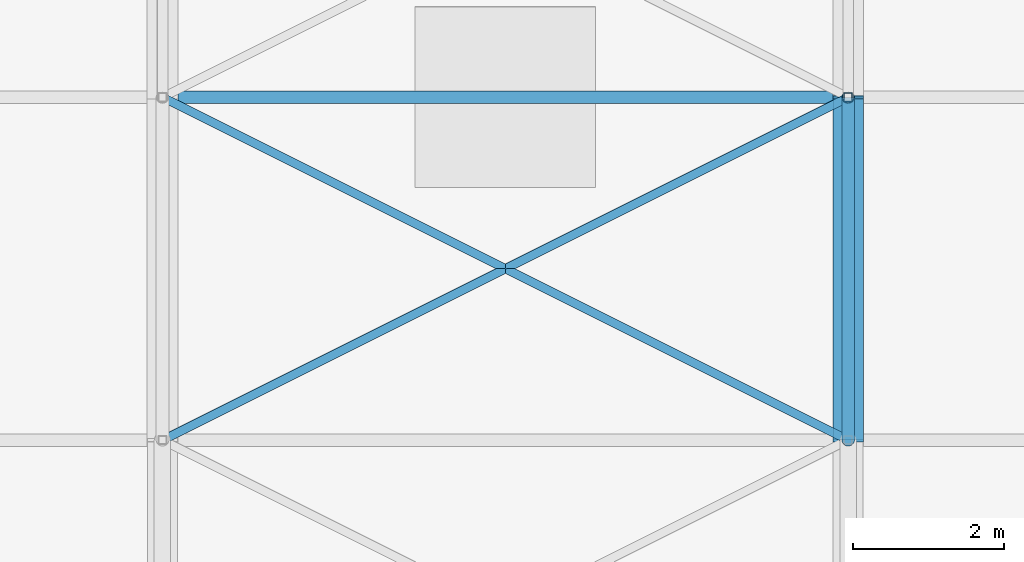
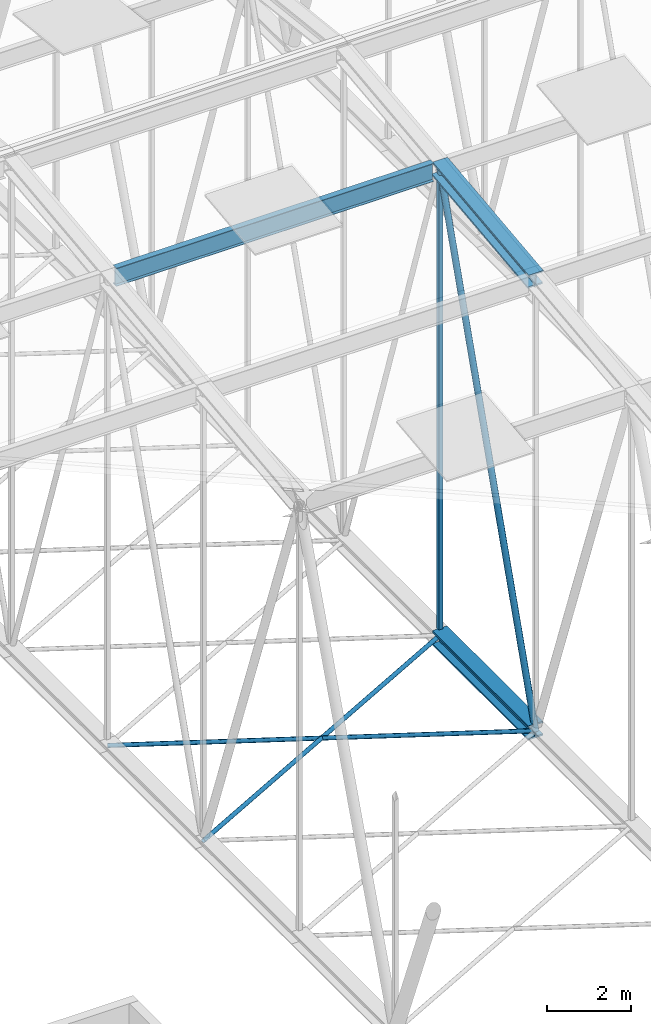
# One storey, part 92 of 500: 7 members.
"""IFC4 building model written with IfcOpenShell, lengths in metres."""

from ifc_helpers import new_model, si_unit, direction, frame, origin, origin_2d, place, context, subcontext, project, spatial, hollow_rectangle, hollow_circle, i_section, extrude, material, material_profile, profile_set, type_object, element, save


model = new_model("IFC4")

# Units and contexts
model_context = context("Model", 3, precision=1e-05, world=origin(), true_north=direction((0.0, 1.0)))
body_context = subcontext(model_context, "Body", "Model", "MODEL_VIEW")
ifc_project = project(units=[si_unit("LENGTHUNIT", "METRE"), si_unit("AREAUNIT", "SQUARE_METRE"), si_unit("VOLUMEUNIT", "CUBIC_METRE"), si_unit("PLANEANGLEUNIT", "RADIAN"), si_unit("MASSUNIT", "GRAM", prefix="KILO")], contexts=[model_context])

# Site, building, storey
site_placement = place(None, origin())
site = spatial("IfcSite", under=ifc_project, at=site_placement, CompositionType="ELEMENT")
building_placement = place(site_placement, origin())
building = spatial("IfcBuilding", under=site, at=building_placement, Name="Shirokan Park Arena", CompositionType="ELEMENT")
storey_placement = place(building_placement, frame((0.0, 0.0, 29.1201171875)))
storey = spatial("IfcBuildingStorey", under=building, at=storey_placement, Name="L06", CompositionType="ELEMENT", Elevation=29.1201171875)

# Members
ifc_material_1 = material(Name="Steel ASTM A992", Category="steel")
ifc_material_profile_1 = material_profile(ifc_material_1, i_section(OverallWidth=0.406005859375, OverallDepth=0.4169921875, WebThickness=0.030029296875, FlangeThickness=0.048095703125, at=origin_2d()), Name="W360X382")
ifc_profile_set_1 = profile_set([ifc_material_profile_1], Name="Steel ASTM A992")
member_type_1 = type_object("IfcMemberType", Name="Bottom chord W360X382", PredefinedType="CHORD", material=ifc_profile_set_1)
member_1_placement = place(storey_placement, frame((54.60009765625, 45.5, 4.677001953125), z_axis=(0.0, 1.0, 0.0), x_axis=(-1.0, 0.0, 0.0)))
element("IfcMember", 1, at=member_1_placement, inside=storey, type_object=member_type_1, Name="Truss T07 bottom chord 13", PredefinedType="CHORD", context=body_context, shape_type="SweptSolid", body=[
    extrude(i_section(OverallWidth=0.406005859375, OverallDepth=0.4169921875, WebThickness=0.030029296875, FlangeThickness=0.048095703125, at=origin_2d()), origin(), (0.0, 0.0, 1.0), 4.550048828125),
])
ifc_material_2 = material(Name="Steel ASTM A500 Grade C", Category="steel")
ifc_material_profile_2 = material_profile(ifc_material_2, hollow_circle(Radius=0.056884765625, WallThickness=0.006103515625, at=origin_2d()), Name="HSS114.3X6")
ifc_profile_set_2 = profile_set([ifc_material_profile_2], Name="Steel ASTM A500 Grade C")
member_type_2 = type_object("IfcMemberType", Name="Plan bracing HSS114.3X6", PredefinedType="BRACE", material=ifc_profile_set_2)
for number, where, z_axis, x_axis, name in (
    (2, (45.5, 45.5, 4.677001953125), (0.894427191, 0.4472135955, 0.0), (-0.4472135955, 0.894427191, 0.0), "Plan bracing bay 6 panel 13 A"),
    (3, (54.60009765625, 45.5, 4.677001953125), (-0.894427191, 0.4472135955, 0.0), (-0.4472135955, -0.894427191, 0.0), "Plan bracing bay 6 panel 13 B"),
):
    element("IfcMember", number, at=place(storey_placement, frame(where, z_axis=z_axis, x_axis=x_axis)), inside=storey, type_object=member_type_2, Name=name, PredefinedType="BRACE", context=body_context, shape_type="SweptSolid", body=[
        extrude(hollow_circle(Radius=0.056884765625, WallThickness=0.006103515625, at=origin_2d()), origin(), (0.0, 0.0, 1.0), 10.17431640625),
    ])
ifc_material_profile_3 = material_profile(ifc_material_1, i_section(OverallWidth=0.166015625, OverallDepth=0.528076171875, WebThickness=0.009765625, FlangeThickness=0.013671875, at=origin_2d()), Name="W530X74")
ifc_profile_set_3 = profile_set([ifc_material_profile_3], Name="Steel ASTM A992")
member_type_3 = type_object("IfcMemberType", Name="Purlin W530X74", PredefinedType="PURLIN", material=ifc_profile_set_3)
member_2_placement = place(storey_placement, frame((45.702880859375, 50.050048828125, 18.205810546875), z_axis=(1.0, 0.0, 0.0), x_axis=(0.0, 1.0, 0.0)))
element("IfcMember", 4, at=member_2_placement, inside=storey, type_object=member_type_3, Name="Purlin 14 bay 6", PredefinedType="PURLIN", context=body_context, shape_type="SweptSolid", body=[
    extrude(i_section(OverallWidth=0.166015625, OverallDepth=0.528076171875, WebThickness=0.009765625, FlangeThickness=0.013671875, at=origin_2d()), origin(), (0.0, 0.0, 1.0), 8.694091796875),
])
ifc_material_profile_4 = material_profile(ifc_material_1, i_section(OverallWidth=0.406005859375, OverallDepth=0.4169921875, WebThickness=0.030029296875, FlangeThickness=0.048095703125, at=origin_2d()), Name="W360X382")
ifc_profile_set_4 = profile_set([ifc_material_profile_4], Name="Steel ASTM A992")
member_type_4 = type_object("IfcMemberType", Name="Top chord W360X382", PredefinedType="CHORD", material=ifc_profile_set_4)
member_3_placement = place(storey_placement, frame((54.60009765625, 45.5, 17.741455078125), z_axis=(0.0, 0.993532328996, 0.113549598152), x_axis=(-1.0, 0.0, 0.0)))
element("IfcMember", 5, at=member_3_placement, inside=storey, type_object=member_type_4, Name="Truss T07 top chord 13", PredefinedType="CHORD", context=body_context, shape_type="SweptSolid", body=[
    extrude(i_section(OverallWidth=0.406005859375, OverallDepth=0.4169921875, WebThickness=0.030029296875, FlangeThickness=0.048095703125, at=origin_2d()), origin(), (0.0, 0.0, 1.0), 4.57958984375),
])
ifc_material_profile_5 = material_profile(ifc_material_2, hollow_circle(Radius=0.083984375, WallThickness=0.009521484375, at=origin_2d()), Name="HSS168.3X9.5")
ifc_profile_set_5 = profile_set([ifc_material_profile_5], Name="Steel ASTM A500 Grade C")
member_type_5 = type_object("IfcMemberType", Name="Truss diagonal HSS168.3X9.5", PredefinedType="BRACE", material=ifc_profile_set_5)
member_4_placement = place(storey_placement, frame((54.60009765625, 45.5, 4.677001953125), z_axis=(0.0, 0.317602683872, 0.948223884532), x_axis=(-1.0, 0.0, 0.0)))
element("IfcMember", 6, at=member_4_placement, inside=storey, type_object=member_type_5, Name="Truss T07 diagonal 13", PredefinedType="BRACE", context=body_context, shape_type="SweptSolid", body=[
    extrude(hollow_circle(Radius=0.083984375, WallThickness=0.009521484375, at=origin_2d()), origin(), (0.0, 0.0, 1.0), 14.326171875),
])
ifc_material_profile_6 = material_profile(ifc_material_2, hollow_rectangle(XDim=0.114013671875, YDim=0.114013671875, WallThickness=0.00634765625, at=origin_2d()), Name="HSS114.3X114.3X6.4")
ifc_profile_set_6 = profile_set([ifc_material_profile_6], Name="Steel ASTM A500 Grade C")
member_type_6 = type_object("IfcMemberType", Name="Truss post HSS114.3X114.3X6.4", PredefinedType="POST", material=ifc_profile_set_6)
member_5_placement = place(storey_placement, frame((54.60009765625, 50.050048828125, 4.677001953125), z_axis=(0.0, 0.0, 1.0), x_axis=(1.0, 0.0, 0.0)))
element("IfcMember", 7, at=member_5_placement, inside=storey, type_object=member_type_6, Name="Truss T07 post 14", PredefinedType="POST", context=body_context, shape_type="SweptSolid", body=[
    extrude(hollow_rectangle(XDim=0.114013671875, YDim=0.114013671875, WallThickness=0.00634765625, at=origin_2d()), origin(), (0.0, 0.0, 1.0), 13.58447265625),
])

save(model, "model.ifc")
